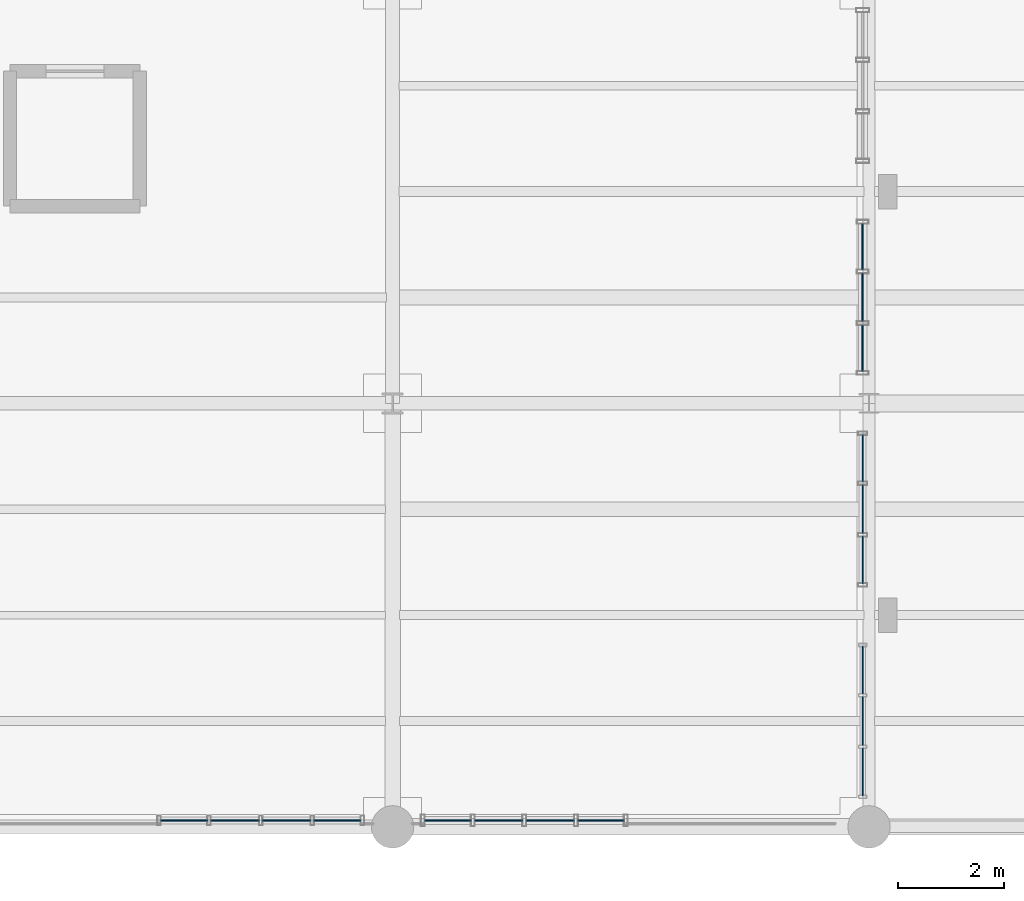
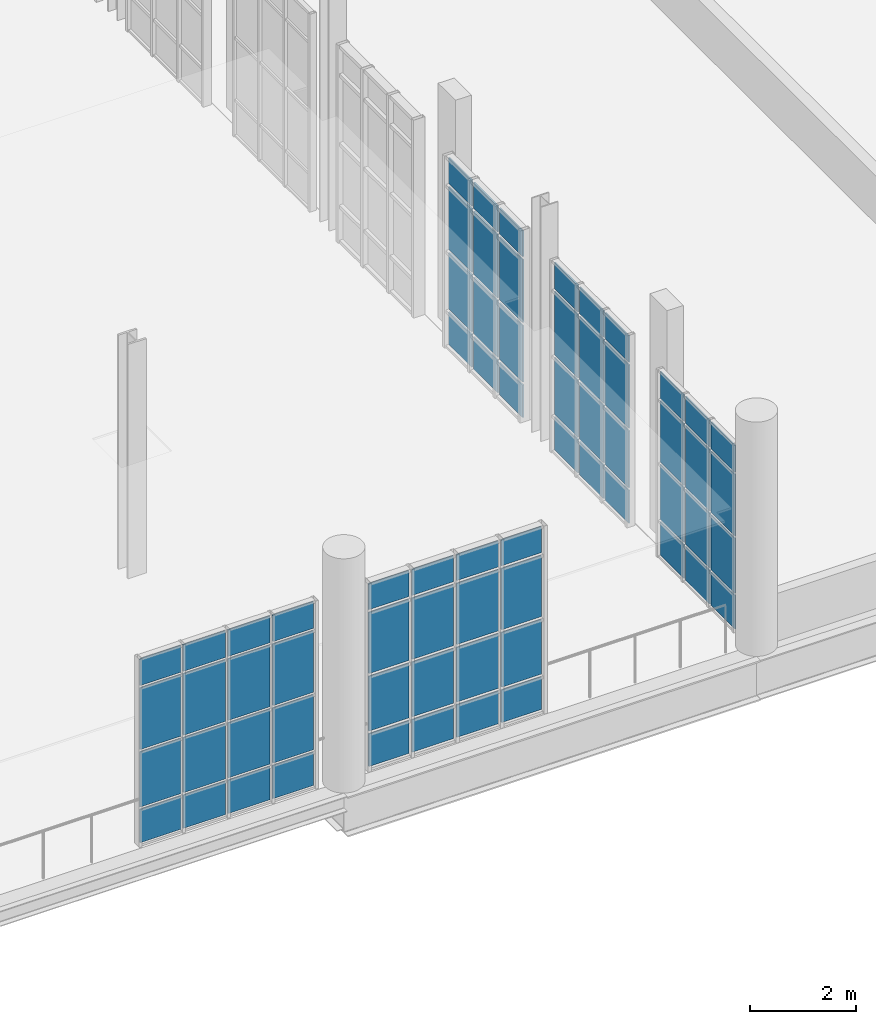
# One storey, part 115 of 142: 68 plates, 5 elements without a shape of their own.
"""IFC4 building model written with IfcOpenShell, lengths in metres."""

from ifc_helpers import new_model, si_unit, direction, frame, origin, origin_2d, place, context, subcontext, project, spatial, rectangle, extrude, material, layer, layer_set, type_object, element, aggregate, save


model = new_model("IFC4")

# Units and contexts
model_context = context("Model", 3, precision=1e-05, world=origin(), true_north=direction((0.0, 1.0)))
body_context = subcontext(model_context, "Body", "Model", "MODEL_VIEW")
ifc_project = project(units=[si_unit("LENGTHUNIT", "METRE"), si_unit("AREAUNIT", "SQUARE_METRE"), si_unit("VOLUMEUNIT", "CUBIC_METRE"), si_unit("PLANEANGLEUNIT", "RADIAN"), si_unit("MASSUNIT", "GRAM", prefix="KILO"), si_unit("THERMODYNAMICTEMPERATUREUNIT", "KELVIN"), si_unit("POWERUNIT", "WATT")], contexts=[model_context])

# Site, building, storey
site_placement = place(None, origin())
site = spatial("IfcSite", under=ifc_project, at=site_placement, CompositionType="ELEMENT")
building_placement = place(site_placement, origin())
building = spatial("IfcBuilding", under=site, at=building_placement, Name="Zelmaris Science Centre", CompositionType="ELEMENT")
storey_placement = place(building_placement, frame((0.0, 0.0, 5.39990234375)))
storey = spatial("IfcBuildingStorey", under=building, at=storey_placement, Name="L01", CompositionType="ELEMENT", Elevation=5.39990234375)

# Curtain wall, plates
ifc_material_1 = material(Name="Anodised architectural aluminium 6063-T6", Category="aluminium")
ifc_layer_1 = layer(ifc_material_1, 0.199951171875, Name="Anodised architectural aluminium 6063-T6")
ifc_layer_set_1 = layer_set([ifc_layer_1], Name="Anodised architectural aluminium 6063-T6")
curtain_wall_type_1 = type_object("IfcCurtainWallType", Name="Curtain Wall CW-02", PredefinedType="USERDEFINED", material=ifc_layer_set_1)
curtain_wall_1_placement = place(storey_placement, origin())
curtain_wall_1 = element("IfcCurtainWall", 1, at=curtain_wall_1_placement, inside=storey, type_object=curtain_wall_type_1, Name="L01 Unitised curtain wall 158", ObjectType="GLAZED CURTAIN WALL", PredefinedType="USERDEFINED")
ifc_material_2 = material(Name="Laminated hurricane-rated low-E insulated glazing", Category="glass")
ifc_layer_2 = layer(ifc_material_2, 0.028076171875, Name="Laminated hurricane-rated low-E insulated glazing")
ifc_layer_set_2 = layer_set([ifc_layer_2], Name="Laminated hurricane-rated low-E insulated glazing")
plate_type_1 = type_object("IfcPlateType", Name="Curtain Glazing Panel CWP-2 28mm", PredefinedType="CURTAIN_PANEL", material=ifc_layer_set_2)
plate_1_placement = place(storey_placement, frame((143.8798828125, 18.95654296875, 0.052001953125), z_axis=(0.0, 0.0, 1.0), x_axis=(0.0, -1.0, 0.0)))
plate_1 = element("IfcPlate", 2, at=plate_1_placement, type_object=plate_type_1, Name="CW-02 panel 1.1", PredefinedType="CURTAIN_PANEL", context=body_context, shape_type="SweptSolid", body=[
    extrude(rectangle(XDim=0.872802734375, YDim=0.028076171875, at=origin_2d()), origin(), (0.0, 0.0, 1.0), 0.74951171875),
])
plate_2_placement = place(storey_placement, frame((143.8798828125, 18.95654296875, 0.86865234375), z_axis=(0.0, 0.0, 1.0), x_axis=(0.0, -1.0, 0.0)))
plate_2 = element("IfcPlate", 3, at=plate_2_placement, type_object=plate_type_1, Name="CW-02 panel 1.2", PredefinedType="CURTAIN_PANEL", context=body_context, shape_type="SweptSolid", body=[
    extrude(rectangle(XDim=0.872802734375, YDim=0.028076171875, at=origin_2d()), origin(), (0.0, 0.0, 1.0), 1.303955078125),
])
plate_3_placement = place(storey_placement, frame((143.8798828125, 18.95654296875, 2.239501953125), z_axis=(0.0, 0.0, 1.0), x_axis=(0.0, -1.0, 0.0)))
plate_3 = element("IfcPlate", 4, at=plate_3_placement, type_object=plate_type_1, Name="CW-02 panel 1.3", PredefinedType="CURTAIN_PANEL", context=body_context, shape_type="SweptSolid", body=[
    extrude(rectangle(XDim=0.872802734375, YDim=0.028076171875, at=origin_2d()), origin(), (0.0, 0.0, 1.0), 1.4541015625),
])
plate_4_placement = place(storey_placement, frame((143.8798828125, 18.95654296875, 3.760498046875), z_axis=(0.0, 0.0, 1.0), x_axis=(0.0, -1.0, 0.0)))
plate_4 = element("IfcPlate", 5, at=plate_4_placement, type_object=plate_type_1, Name="CW-02 panel 1.4", PredefinedType="CURTAIN_PANEL", context=body_context, shape_type="SweptSolid", body=[
    extrude(rectangle(XDim=0.872802734375, YDim=0.028076171875, at=origin_2d()), origin(), (0.0, 0.0, 1.0), 0.599609375),
])
plate_5_placement = place(storey_placement, frame((143.8798828125, 18.0, 0.052001953125), z_axis=(0.0, 0.0, 1.0), x_axis=(0.0, -1.0, 0.0)))
plate_5 = element("IfcPlate", 6, at=plate_5_placement, type_object=plate_type_1, Name="CW-02 panel 2.1", PredefinedType="CURTAIN_PANEL", context=body_context, shape_type="SweptSolid", body=[
    extrude(rectangle(XDim=0.90625, YDim=0.028076171875, at=origin_2d()), origin(), (0.0, 0.0, 1.0), 0.74951171875),
])
plate_6_placement = place(storey_placement, frame((143.8798828125, 18.0, 0.86865234375), z_axis=(0.0, 0.0, 1.0), x_axis=(0.0, -1.0, 0.0)))
plate_6 = element("IfcPlate", 7, at=plate_6_placement, type_object=plate_type_1, Name="CW-02 panel 2.2", PredefinedType="CURTAIN_PANEL", context=body_context, shape_type="SweptSolid", body=[
    extrude(rectangle(XDim=0.90625, YDim=0.028076171875, at=origin_2d()), origin(), (0.0, 0.0, 1.0), 1.303955078125),
])
plate_7_placement = place(storey_placement, frame((143.8798828125, 18.0, 2.239501953125), z_axis=(0.0, 0.0, 1.0), x_axis=(0.0, -1.0, 0.0)))
plate_7 = element("IfcPlate", 8, at=plate_7_placement, type_object=plate_type_1, Name="CW-02 panel 2.3", PredefinedType="CURTAIN_PANEL", context=body_context, shape_type="SweptSolid", body=[
    extrude(rectangle(XDim=0.90625, YDim=0.028076171875, at=origin_2d()), origin(), (0.0, 0.0, 1.0), 1.4541015625),
])
plate_8_placement = place(storey_placement, frame((143.8798828125, 18.0, 3.760498046875), z_axis=(0.0, 0.0, 1.0), x_axis=(0.0, -1.0, 0.0)))
plate_8 = element("IfcPlate", 9, at=plate_8_placement, type_object=plate_type_1, Name="CW-02 panel 2.4", PredefinedType="CURTAIN_PANEL", context=body_context, shape_type="SweptSolid", body=[
    extrude(rectangle(XDim=0.90625, YDim=0.028076171875, at=origin_2d()), origin(), (0.0, 0.0, 1.0), 0.599609375),
])
plate_9_placement = place(storey_placement, frame((143.8798828125, 17.04345703125, 0.052001953125), z_axis=(0.0, 0.0, 1.0), x_axis=(0.0, -1.0, 0.0)))
plate_9 = element("IfcPlate", 10, at=plate_9_placement, type_object=plate_type_1, Name="CW-02 panel 3.1", PredefinedType="CURTAIN_PANEL", context=body_context, shape_type="SweptSolid", body=[
    extrude(rectangle(XDim=0.872802734375, YDim=0.028076171875, at=origin_2d()), origin(), (0.0, 0.0, 1.0), 0.74951171875),
])
plate_10_placement = place(storey_placement, frame((143.8798828125, 17.04345703125, 0.86865234375), z_axis=(0.0, 0.0, 1.0), x_axis=(0.0, -1.0, 0.0)))
plate_10 = element("IfcPlate", 11, at=plate_10_placement, type_object=plate_type_1, Name="CW-02 panel 3.2", PredefinedType="CURTAIN_PANEL", context=body_context, shape_type="SweptSolid", body=[
    extrude(rectangle(XDim=0.872802734375, YDim=0.028076171875, at=origin_2d()), origin(), (0.0, 0.0, 1.0), 1.303955078125),
])
plate_11_placement = place(storey_placement, frame((143.8798828125, 17.04345703125, 2.239501953125), z_axis=(0.0, 0.0, 1.0), x_axis=(0.0, -1.0, 0.0)))
plate_11 = element("IfcPlate", 12, at=plate_11_placement, type_object=plate_type_1, Name="CW-02 panel 3.3", PredefinedType="CURTAIN_PANEL", context=body_context, shape_type="SweptSolid", body=[
    extrude(rectangle(XDim=0.872802734375, YDim=0.028076171875, at=origin_2d()), origin(), (0.0, 0.0, 1.0), 1.4541015625),
])
plate_12_placement = place(storey_placement, frame((143.8798828125, 17.04345703125, 3.760498046875), z_axis=(0.0, 0.0, 1.0), x_axis=(0.0, -1.0, 0.0)))
plate_12 = element("IfcPlate", 13, at=plate_12_placement, type_object=plate_type_1, Name="CW-02 panel 3.4", PredefinedType="CURTAIN_PANEL", context=body_context, shape_type="SweptSolid", body=[
    extrude(rectangle(XDim=0.872802734375, YDim=0.028076171875, at=origin_2d()), origin(), (0.0, 0.0, 1.0), 0.599609375),
])
aggregate(curtain_wall_1, [plate_1, plate_2, plate_3, plate_4, plate_5, plate_6, plate_7, plate_8, plate_9, plate_10, plate_11, plate_12])

curtain_wall_2_placement = place(storey_placement, origin())
curtain_wall_2 = element("IfcCurtainWall", 14, at=curtain_wall_2_placement, inside=storey, type_object=curtain_wall_type_1, Name="L01 Unitised curtain wall 162", ObjectType="GLAZED CURTAIN WALL", PredefinedType="USERDEFINED")
plate_13_placement = place(storey_placement, frame((138.935791015625, 8.1201171875, 0.052001953125), z_axis=(0.0, 0.0, 1.0), x_axis=(-1.0, 0.0, 0.0)))
plate_13 = element("IfcPlate", 15, at=plate_13_placement, type_object=plate_type_1, Name="CW-02 panel 1.1", PredefinedType="CURTAIN_PANEL", context=body_context, shape_type="SweptSolid", body=[
    extrude(rectangle(XDim=0.87451171875, YDim=0.028076171875, at=origin_2d()), origin(), (0.0, 0.0, 1.0), 0.74951171875),
])
plate_14_placement = place(storey_placement, frame((138.935791015625, 8.1201171875, 0.86865234375), z_axis=(0.0, 0.0, 1.0), x_axis=(-1.0, 0.0, 0.0)))
plate_14 = element("IfcPlate", 16, at=plate_14_placement, type_object=plate_type_1, Name="CW-02 panel 1.2", PredefinedType="CURTAIN_PANEL", context=body_context, shape_type="SweptSolid", body=[
    extrude(rectangle(XDim=0.87451171875, YDim=0.028076171875, at=origin_2d()), origin(), (0.0, 0.0, 1.0), 1.258056640625),
])
plate_15_placement = place(storey_placement, frame((138.935791015625, 8.1201171875, 2.19384765625), z_axis=(0.0, 0.0, 1.0), x_axis=(-1.0, 0.0, 0.0)))
plate_15 = element("IfcPlate", 17, at=plate_15_placement, type_object=plate_type_1, Name="CW-02 panel 1.3", PredefinedType="CURTAIN_PANEL", context=body_context, shape_type="SweptSolid", body=[
    extrude(rectangle(XDim=0.87451171875, YDim=0.028076171875, at=origin_2d()), origin(), (0.0, 0.0, 1.0), 1.407958984375),
])
plate_16_placement = place(storey_placement, frame((138.935791015625, 8.1201171875, 3.66845703125), z_axis=(0.0, 0.0, 1.0), x_axis=(-1.0, 0.0, 0.0)))
plate_16 = element("IfcPlate", 18, at=plate_16_placement, type_object=plate_type_1, Name="CW-02 panel 1.4", PredefinedType="CURTAIN_PANEL", context=body_context, shape_type="SweptSolid", body=[
    extrude(rectangle(XDim=0.87451171875, YDim=0.028076171875, at=origin_2d()), origin(), (0.0, 0.0, 1.0), 0.599609375),
])
plate_17_placement = place(storey_placement, frame((137.9775390625, 8.1201171875, 0.052001953125), z_axis=(0.0, 0.0, 1.0), x_axis=(-1.0, 0.0, 0.0)))
plate_17 = element("IfcPlate", 19, at=plate_17_placement, type_object=plate_type_1, Name="CW-02 panel 2.1", PredefinedType="CURTAIN_PANEL", context=body_context, shape_type="SweptSolid", body=[
    extrude(rectangle(XDim=0.907958984375, YDim=0.028076171875, at=origin_2d()), origin(), (0.0, 0.0, 1.0), 0.74951171875),
])
plate_18_placement = place(storey_placement, frame((137.9775390625, 8.1201171875, 0.86865234375), z_axis=(0.0, 0.0, 1.0), x_axis=(-1.0, 0.0, 0.0)))
plate_18 = element("IfcPlate", 20, at=plate_18_placement, type_object=plate_type_1, Name="CW-02 panel 2.2", PredefinedType="CURTAIN_PANEL", context=body_context, shape_type="SweptSolid", body=[
    extrude(rectangle(XDim=0.907958984375, YDim=0.028076171875, at=origin_2d()), origin(), (0.0, 0.0, 1.0), 1.258056640625),
])
plate_19_placement = place(storey_placement, frame((137.9775390625, 8.1201171875, 2.19384765625), z_axis=(0.0, 0.0, 1.0), x_axis=(-1.0, 0.0, 0.0)))
plate_19 = element("IfcPlate", 21, at=plate_19_placement, type_object=plate_type_1, Name="CW-02 panel 2.3", PredefinedType="CURTAIN_PANEL", context=body_context, shape_type="SweptSolid", body=[
    extrude(rectangle(XDim=0.907958984375, YDim=0.028076171875, at=origin_2d()), origin(), (0.0, 0.0, 1.0), 1.407958984375),
])
plate_20_placement = place(storey_placement, frame((137.9775390625, 8.1201171875, 3.66845703125), z_axis=(0.0, 0.0, 1.0), x_axis=(-1.0, 0.0, 0.0)))
plate_20 = element("IfcPlate", 22, at=plate_20_placement, type_object=plate_type_1, Name="CW-02 panel 2.4", PredefinedType="CURTAIN_PANEL", context=body_context, shape_type="SweptSolid", body=[
    extrude(rectangle(XDim=0.907958984375, YDim=0.028076171875, at=origin_2d()), origin(), (0.0, 0.0, 1.0), 0.599609375),
])
plate_21_placement = place(storey_placement, frame((137.00244140625, 8.1201171875, 0.052001953125), z_axis=(0.0, 0.0, 1.0), x_axis=(-1.0, 0.0, 0.0)))
plate_21 = element("IfcPlate", 23, at=plate_21_placement, type_object=plate_type_1, Name="CW-02 panel 3.1", PredefinedType="CURTAIN_PANEL", context=body_context, shape_type="SweptSolid", body=[
    extrude(rectangle(XDim=0.907958984375, YDim=0.028076171875, at=origin_2d()), origin(), (0.0, 0.0, 1.0), 0.74951171875),
])
plate_22_placement = place(storey_placement, frame((137.00244140625, 8.1201171875, 0.86865234375), z_axis=(0.0, 0.0, 1.0), x_axis=(-1.0, 0.0, 0.0)))
plate_22 = element("IfcPlate", 24, at=plate_22_placement, type_object=plate_type_1, Name="CW-02 panel 3.2", PredefinedType="CURTAIN_PANEL", context=body_context, shape_type="SweptSolid", body=[
    extrude(rectangle(XDim=0.907958984375, YDim=0.028076171875, at=origin_2d()), origin(), (0.0, 0.0, 1.0), 1.258056640625),
])
plate_23_placement = place(storey_placement, frame((137.00244140625, 8.1201171875, 2.19384765625), z_axis=(0.0, 0.0, 1.0), x_axis=(-1.0, 0.0, 0.0)))
plate_23 = element("IfcPlate", 25, at=plate_23_placement, type_object=plate_type_1, Name="CW-02 panel 3.3", PredefinedType="CURTAIN_PANEL", context=body_context, shape_type="SweptSolid", body=[
    extrude(rectangle(XDim=0.907958984375, YDim=0.028076171875, at=origin_2d()), origin(), (0.0, 0.0, 1.0), 1.407958984375),
])
plate_24_placement = place(storey_placement, frame((137.00244140625, 8.1201171875, 3.66845703125), z_axis=(0.0, 0.0, 1.0), x_axis=(-1.0, 0.0, 0.0)))
plate_24 = element("IfcPlate", 26, at=plate_24_placement, type_object=plate_type_1, Name="CW-02 panel 3.4", PredefinedType="CURTAIN_PANEL", context=body_context, shape_type="SweptSolid", body=[
    extrude(rectangle(XDim=0.907958984375, YDim=0.028076171875, at=origin_2d()), origin(), (0.0, 0.0, 1.0), 0.599609375),
])
plate_25_placement = place(storey_placement, frame((136.044189453125, 8.1201171875, 0.052001953125), z_axis=(0.0, 0.0, 1.0), x_axis=(-1.0, 0.0, 0.0)))
plate_25 = element("IfcPlate", 27, at=plate_25_placement, type_object=plate_type_1, Name="CW-02 panel 4.1", PredefinedType="CURTAIN_PANEL", context=body_context, shape_type="SweptSolid", body=[
    extrude(rectangle(XDim=0.87451171875, YDim=0.028076171875, at=origin_2d()), origin(), (0.0, 0.0, 1.0), 0.74951171875),
])
plate_26_placement = place(storey_placement, frame((136.044189453125, 8.1201171875, 0.86865234375), z_axis=(0.0, 0.0, 1.0), x_axis=(-1.0, 0.0, 0.0)))
plate_26 = element("IfcPlate", 28, at=plate_26_placement, type_object=plate_type_1, Name="CW-02 panel 4.2", PredefinedType="CURTAIN_PANEL", context=body_context, shape_type="SweptSolid", body=[
    extrude(rectangle(XDim=0.87451171875, YDim=0.028076171875, at=origin_2d()), origin(), (0.0, 0.0, 1.0), 1.258056640625),
])
plate_27_placement = place(storey_placement, frame((136.044189453125, 8.1201171875, 2.19384765625), z_axis=(0.0, 0.0, 1.0), x_axis=(-1.0, 0.0, 0.0)))
plate_27 = element("IfcPlate", 29, at=plate_27_placement, type_object=plate_type_1, Name="CW-02 panel 4.3", PredefinedType="CURTAIN_PANEL", context=body_context, shape_type="SweptSolid", body=[
    extrude(rectangle(XDim=0.87451171875, YDim=0.028076171875, at=origin_2d()), origin(), (0.0, 0.0, 1.0), 1.407958984375),
])
plate_28_placement = place(storey_placement, frame((136.044189453125, 8.1201171875, 3.66845703125), z_axis=(0.0, 0.0, 1.0), x_axis=(-1.0, 0.0, 0.0)))
plate_28 = element("IfcPlate", 30, at=plate_28_placement, type_object=plate_type_1, Name="CW-02 panel 4.4", PredefinedType="CURTAIN_PANEL", context=body_context, shape_type="SweptSolid", body=[
    extrude(rectangle(XDim=0.87451171875, YDim=0.028076171875, at=origin_2d()), origin(), (0.0, 0.0, 1.0), 0.599609375),
])
aggregate(curtain_wall_2, [plate_13, plate_14, plate_15, plate_16, plate_17, plate_18, plate_19, plate_20, plate_21, plate_22, plate_23, plate_24, plate_25, plate_26, plate_27, plate_28])

ifc_layer_3 = layer(ifc_material_1, 0.2099609375, Name="Anodised architectural aluminium 6063-T6")
ifc_layer_set_3 = layer_set([ifc_layer_3], Name="Anodised architectural aluminium 6063-T6")
curtain_wall_type_2 = type_object("IfcCurtainWallType", Name="Curtain Wall CW-03", PredefinedType="USERDEFINED", material=ifc_layer_set_3)
curtain_wall_3_placement = place(storey_placement, origin())
curtain_wall_3 = element("IfcCurtainWall", 31, at=curtain_wall_3_placement, inside=storey, type_object=curtain_wall_type_2, Name="L01 Unitised curtain wall 159", ObjectType="GLAZED CURTAIN WALL", PredefinedType="USERDEFINED")
ifc_layer_4 = layer(ifc_material_2, 0.02587890625, Name="Laminated hurricane-rated low-E insulated glazing")
ifc_layer_set_4 = layer_set([ifc_layer_4], Name="Laminated hurricane-rated low-E insulated glazing")
plate_type_2 = type_object("IfcPlateType", Name="Curtain Glazing Panel CWP-3 26mm", PredefinedType="CURTAIN_PANEL", material=ifc_layer_set_4)
plate_29_placement = place(storey_placement, frame((143.8798828125, 14.958984375, 0.0419921875), z_axis=(0.0, 0.0, 1.0), x_axis=(0.0, -1.0, 0.0)))
plate_29 = element("IfcPlate", 32, at=plate_29_placement, type_object=plate_type_2, Name="CW-03 panel 1.1", PredefinedType="CURTAIN_PANEL", context=body_context, shape_type="SweptSolid", body=[
    extrude(rectangle(XDim=0.887939453125, YDim=0.02587890625, at=origin_2d()), origin(), (0.0, 0.0, 1.0), 0.764404296875),
])
plate_30_placement = place(storey_placement, frame((143.8798828125, 14.958984375, 0.863525390625), z_axis=(0.0, 0.0, 1.0), x_axis=(0.0, -1.0, 0.0)))
plate_30 = element("IfcPlate", 33, at=plate_30_placement, type_object=plate_type_2, Name="CW-03 panel 1.2", PredefinedType="CURTAIN_PANEL", context=body_context, shape_type="SweptSolid", body=[
    extrude(rectangle(XDim=0.887939453125, YDim=0.02587890625, at=origin_2d()), origin(), (0.0, 0.0, 1.0), 1.31396484375),
])
plate_31_placement = place(storey_placement, frame((143.8798828125, 14.958984375, 2.234375), z_axis=(0.0, 0.0, 1.0), x_axis=(0.0, -1.0, 0.0)))
plate_31 = element("IfcPlate", 34, at=plate_31_placement, type_object=plate_type_2, Name="CW-03 panel 1.3", PredefinedType="CURTAIN_PANEL", context=body_context, shape_type="SweptSolid", body=[
    extrude(rectangle(XDim=0.887939453125, YDim=0.02587890625, at=origin_2d()), origin(), (0.0, 0.0, 1.0), 1.464111328125),
])
plate_32_placement = place(storey_placement, frame((143.8798828125, 14.958984375, 3.75537109375), z_axis=(0.0, 0.0, 1.0), x_axis=(0.0, -1.0, 0.0)))
plate_32 = element("IfcPlate", 35, at=plate_32_placement, type_object=plate_type_2, Name="CW-03 panel 1.4", PredefinedType="CURTAIN_PANEL", context=body_context, shape_type="SweptSolid", body=[
    extrude(rectangle(XDim=0.887939453125, YDim=0.02587890625, at=origin_2d()), origin(), (0.0, 0.0, 1.0), 0.614501953125),
])
plate_33_placement = place(storey_placement, frame((143.8798828125, 14.0, 0.0419921875), z_axis=(0.0, 0.0, 1.0), x_axis=(0.0, -1.0, 0.0)))
plate_33 = element("IfcPlate", 36, at=plate_33_placement, type_object=plate_type_2, Name="CW-03 panel 2.1", PredefinedType="CURTAIN_PANEL", context=body_context, shape_type="SweptSolid", body=[
    extrude(rectangle(XDim=0.916259765625, YDim=0.02587890625, at=origin_2d()), origin(), (0.0, 0.0, 1.0), 0.764404296875),
])
plate_34_placement = place(storey_placement, frame((143.8798828125, 14.0, 0.863525390625), z_axis=(0.0, 0.0, 1.0), x_axis=(0.0, -1.0, 0.0)))
plate_34 = element("IfcPlate", 37, at=plate_34_placement, type_object=plate_type_2, Name="CW-03 panel 2.2", PredefinedType="CURTAIN_PANEL", context=body_context, shape_type="SweptSolid", body=[
    extrude(rectangle(XDim=0.916259765625, YDim=0.02587890625, at=origin_2d()), origin(), (0.0, 0.0, 1.0), 1.31396484375),
])
plate_35_placement = place(storey_placement, frame((143.8798828125, 14.0, 2.234375), z_axis=(0.0, 0.0, 1.0), x_axis=(0.0, -1.0, 0.0)))
plate_35 = element("IfcPlate", 38, at=plate_35_placement, type_object=plate_type_2, Name="CW-03 panel 2.3", PredefinedType="CURTAIN_PANEL", context=body_context, shape_type="SweptSolid", body=[
    extrude(rectangle(XDim=0.916259765625, YDim=0.02587890625, at=origin_2d()), origin(), (0.0, 0.0, 1.0), 1.464111328125),
])
plate_36_placement = place(storey_placement, frame((143.8798828125, 14.0, 3.75537109375), z_axis=(0.0, 0.0, 1.0), x_axis=(0.0, -1.0, 0.0)))
plate_36 = element("IfcPlate", 39, at=plate_36_placement, type_object=plate_type_2, Name="CW-03 panel 2.4", PredefinedType="CURTAIN_PANEL", context=body_context, shape_type="SweptSolid", body=[
    extrude(rectangle(XDim=0.916259765625, YDim=0.02587890625, at=origin_2d()), origin(), (0.0, 0.0, 1.0), 0.614501953125),
])
plate_37_placement = place(storey_placement, frame((143.8798828125, 13.041015625, 0.0419921875), z_axis=(0.0, 0.0, 1.0), x_axis=(0.0, -1.0, 0.0)))
plate_37 = element("IfcPlate", 40, at=plate_37_placement, type_object=plate_type_2, Name="CW-03 panel 3.1", PredefinedType="CURTAIN_PANEL", context=body_context, shape_type="SweptSolid", body=[
    extrude(rectangle(XDim=0.887939453125, YDim=0.02587890625, at=origin_2d()), origin(), (0.0, 0.0, 1.0), 0.764404296875),
])
plate_38_placement = place(storey_placement, frame((143.8798828125, 13.041015625, 0.863525390625), z_axis=(0.0, 0.0, 1.0), x_axis=(0.0, -1.0, 0.0)))
plate_38 = element("IfcPlate", 41, at=plate_38_placement, type_object=plate_type_2, Name="CW-03 panel 3.2", PredefinedType="CURTAIN_PANEL", context=body_context, shape_type="SweptSolid", body=[
    extrude(rectangle(XDim=0.887939453125, YDim=0.02587890625, at=origin_2d()), origin(), (0.0, 0.0, 1.0), 1.31396484375),
])
plate_39_placement = place(storey_placement, frame((143.8798828125, 13.041015625, 2.234375), z_axis=(0.0, 0.0, 1.0), x_axis=(0.0, -1.0, 0.0)))
plate_39 = element("IfcPlate", 42, at=plate_39_placement, type_object=plate_type_2, Name="CW-03 panel 3.3", PredefinedType="CURTAIN_PANEL", context=body_context, shape_type="SweptSolid", body=[
    extrude(rectangle(XDim=0.887939453125, YDim=0.02587890625, at=origin_2d()), origin(), (0.0, 0.0, 1.0), 1.464111328125),
])
plate_40_placement = place(storey_placement, frame((143.8798828125, 13.041015625, 3.75537109375), z_axis=(0.0, 0.0, 1.0), x_axis=(0.0, -1.0, 0.0)))
plate_40 = element("IfcPlate", 43, at=plate_40_placement, type_object=plate_type_2, Name="CW-03 panel 3.4", PredefinedType="CURTAIN_PANEL", context=body_context, shape_type="SweptSolid", body=[
    extrude(rectangle(XDim=0.887939453125, YDim=0.02587890625, at=origin_2d()), origin(), (0.0, 0.0, 1.0), 0.614501953125),
])
aggregate(curtain_wall_3, [plate_29, plate_30, plate_31, plate_32, plate_33, plate_34, plate_35, plate_36, plate_37, plate_38, plate_39, plate_40])

curtain_wall_4_placement = place(storey_placement, origin())
curtain_wall_4 = element("IfcCurtainWall", 44, at=curtain_wall_4_placement, inside=storey, type_object=curtain_wall_type_2, Name="L01 Unitised curtain wall 163", ObjectType="GLAZED CURTAIN WALL", PredefinedType="USERDEFINED")
plate_41_placement = place(storey_placement, frame((133.958251953125, 8.1201171875, 0.0419921875), z_axis=(0.0, 0.0, 1.0), x_axis=(-1.0, 0.0, 0.0)))
plate_41 = element("IfcPlate", 45, at=plate_41_placement, type_object=plate_type_2, Name="CW-03 panel 1.1", PredefinedType="CURTAIN_PANEL", context=body_context, shape_type="SweptSolid", body=[
    extrude(rectangle(XDim=0.889404296875, YDim=0.02587890625, at=origin_2d()), origin(), (0.0, 0.0, 1.0), 0.764404296875),
])
plate_42_placement = place(storey_placement, frame((133.958251953125, 8.1201171875, 0.863525390625), z_axis=(0.0, 0.0, 1.0), x_axis=(-1.0, 0.0, 0.0)))
plate_42 = element("IfcPlate", 46, at=plate_42_placement, type_object=plate_type_2, Name="CW-03 panel 1.2", PredefinedType="CURTAIN_PANEL", context=body_context, shape_type="SweptSolid", body=[
    extrude(rectangle(XDim=0.889404296875, YDim=0.02587890625, at=origin_2d()), origin(), (0.0, 0.0, 1.0), 1.26806640625),
])
plate_43_placement = place(storey_placement, frame((133.958251953125, 8.1201171875, 2.188720703125), z_axis=(0.0, 0.0, 1.0), x_axis=(-1.0, 0.0, 0.0)))
plate_43 = element("IfcPlate", 47, at=plate_43_placement, type_object=plate_type_2, Name="CW-03 panel 1.3", PredefinedType="CURTAIN_PANEL", context=body_context, shape_type="SweptSolid", body=[
    extrude(rectangle(XDim=0.889404296875, YDim=0.02587890625, at=origin_2d()), origin(), (0.0, 0.0, 1.0), 1.41796875),
])
plate_44_placement = place(storey_placement, frame((133.958251953125, 8.1201171875, 3.66357421875), z_axis=(0.0, 0.0, 1.0), x_axis=(-1.0, 0.0, 0.0)))
plate_44 = element("IfcPlate", 48, at=plate_44_placement, type_object=plate_type_2, Name="CW-03 panel 1.4", PredefinedType="CURTAIN_PANEL", context=body_context, shape_type="SweptSolid", body=[
    extrude(rectangle(XDim=0.889404296875, YDim=0.02587890625, at=origin_2d()), origin(), (0.0, 0.0, 1.0), 0.614501953125),
])
plate_45_placement = place(storey_placement, frame((132.99755859375, 8.1201171875, 0.0419921875), z_axis=(0.0, 0.0, 1.0), x_axis=(-1.0, 0.0, 0.0)))
plate_45 = element("IfcPlate", 49, at=plate_45_placement, type_object=plate_type_2, Name="CW-03 panel 2.1", PredefinedType="CURTAIN_PANEL", context=body_context, shape_type="SweptSolid", body=[
    extrude(rectangle(XDim=0.91796875, YDim=0.02587890625, at=origin_2d()), origin(), (0.0, 0.0, 1.0), 0.764404296875),
])
plate_46_placement = place(storey_placement, frame((132.99755859375, 8.1201171875, 0.863525390625), z_axis=(0.0, 0.0, 1.0), x_axis=(-1.0, 0.0, 0.0)))
plate_46 = element("IfcPlate", 50, at=plate_46_placement, type_object=plate_type_2, Name="CW-03 panel 2.2", PredefinedType="CURTAIN_PANEL", context=body_context, shape_type="SweptSolid", body=[
    extrude(rectangle(XDim=0.91796875, YDim=0.02587890625, at=origin_2d()), origin(), (0.0, 0.0, 1.0), 1.26806640625),
])
plate_47_placement = place(storey_placement, frame((132.99755859375, 8.1201171875, 2.188720703125), z_axis=(0.0, 0.0, 1.0), x_axis=(-1.0, 0.0, 0.0)))
plate_47 = element("IfcPlate", 51, at=plate_47_placement, type_object=plate_type_2, Name="CW-03 panel 2.3", PredefinedType="CURTAIN_PANEL", context=body_context, shape_type="SweptSolid", body=[
    extrude(rectangle(XDim=0.91796875, YDim=0.02587890625, at=origin_2d()), origin(), (0.0, 0.0, 1.0), 1.41796875),
])
plate_48_placement = place(storey_placement, frame((132.99755859375, 8.1201171875, 3.66357421875), z_axis=(0.0, 0.0, 1.0), x_axis=(-1.0, 0.0, 0.0)))
plate_48 = element("IfcPlate", 52, at=plate_48_placement, type_object=plate_type_2, Name="CW-03 panel 2.4", PredefinedType="CURTAIN_PANEL", context=body_context, shape_type="SweptSolid", body=[
    extrude(rectangle(XDim=0.91796875, YDim=0.02587890625, at=origin_2d()), origin(), (0.0, 0.0, 1.0), 0.614501953125),
])
plate_49_placement = place(storey_placement, frame((132.0224609375, 8.1201171875, 0.0419921875), z_axis=(0.0, 0.0, 1.0), x_axis=(-1.0, 0.0, 0.0)))
plate_49 = element("IfcPlate", 53, at=plate_49_placement, type_object=plate_type_2, Name="CW-03 panel 3.1", PredefinedType="CURTAIN_PANEL", context=body_context, shape_type="SweptSolid", body=[
    extrude(rectangle(XDim=0.91796875, YDim=0.02587890625, at=origin_2d()), origin(), (0.0, 0.0, 1.0), 0.764404296875),
])
plate_50_placement = place(storey_placement, frame((132.0224609375, 8.1201171875, 0.863525390625), z_axis=(0.0, 0.0, 1.0), x_axis=(-1.0, 0.0, 0.0)))
plate_50 = element("IfcPlate", 54, at=plate_50_placement, type_object=plate_type_2, Name="CW-03 panel 3.2", PredefinedType="CURTAIN_PANEL", context=body_context, shape_type="SweptSolid", body=[
    extrude(rectangle(XDim=0.91796875, YDim=0.02587890625, at=origin_2d()), origin(), (0.0, 0.0, 1.0), 1.26806640625),
])
plate_51_placement = place(storey_placement, frame((132.0224609375, 8.1201171875, 2.188720703125), z_axis=(0.0, 0.0, 1.0), x_axis=(-1.0, 0.0, 0.0)))
plate_51 = element("IfcPlate", 55, at=plate_51_placement, type_object=plate_type_2, Name="CW-03 panel 3.3", PredefinedType="CURTAIN_PANEL", context=body_context, shape_type="SweptSolid", body=[
    extrude(rectangle(XDim=0.91796875, YDim=0.02587890625, at=origin_2d()), origin(), (0.0, 0.0, 1.0), 1.41796875),
])
plate_52_placement = place(storey_placement, frame((132.0224609375, 8.1201171875, 3.66357421875), z_axis=(0.0, 0.0, 1.0), x_axis=(-1.0, 0.0, 0.0)))
plate_52 = element("IfcPlate", 56, at=plate_52_placement, type_object=plate_type_2, Name="CW-03 panel 3.4", PredefinedType="CURTAIN_PANEL", context=body_context, shape_type="SweptSolid", body=[
    extrude(rectangle(XDim=0.91796875, YDim=0.02587890625, at=origin_2d()), origin(), (0.0, 0.0, 1.0), 0.614501953125),
])
plate_53_placement = place(storey_placement, frame((131.061767578125, 8.1201171875, 0.0419921875), z_axis=(0.0, 0.0, 1.0), x_axis=(-1.0, 0.0, 0.0)))
plate_53 = element("IfcPlate", 57, at=plate_53_placement, type_object=plate_type_2, Name="CW-03 panel 4.1", PredefinedType="CURTAIN_PANEL", context=body_context, shape_type="SweptSolid", body=[
    extrude(rectangle(XDim=0.889404296875, YDim=0.02587890625, at=origin_2d()), origin(), (0.0, 0.0, 1.0), 0.764404296875),
])
plate_54_placement = place(storey_placement, frame((131.061767578125, 8.1201171875, 0.863525390625), z_axis=(0.0, 0.0, 1.0), x_axis=(-1.0, 0.0, 0.0)))
plate_54 = element("IfcPlate", 58, at=plate_54_placement, type_object=plate_type_2, Name="CW-03 panel 4.2", PredefinedType="CURTAIN_PANEL", context=body_context, shape_type="SweptSolid", body=[
    extrude(rectangle(XDim=0.889404296875, YDim=0.02587890625, at=origin_2d()), origin(), (0.0, 0.0, 1.0), 1.26806640625),
])
plate_55_placement = place(storey_placement, frame((131.061767578125, 8.1201171875, 2.188720703125), z_axis=(0.0, 0.0, 1.0), x_axis=(-1.0, 0.0, 0.0)))
plate_55 = element("IfcPlate", 59, at=plate_55_placement, type_object=plate_type_2, Name="CW-03 panel 4.3", PredefinedType="CURTAIN_PANEL", context=body_context, shape_type="SweptSolid", body=[
    extrude(rectangle(XDim=0.889404296875, YDim=0.02587890625, at=origin_2d()), origin(), (0.0, 0.0, 1.0), 1.41796875),
])
plate_56_placement = place(storey_placement, frame((131.061767578125, 8.1201171875, 3.66357421875), z_axis=(0.0, 0.0, 1.0), x_axis=(-1.0, 0.0, 0.0)))
plate_56 = element("IfcPlate", 60, at=plate_56_placement, type_object=plate_type_2, Name="CW-03 panel 4.4", PredefinedType="CURTAIN_PANEL", context=body_context, shape_type="SweptSolid", body=[
    extrude(rectangle(XDim=0.889404296875, YDim=0.02587890625, at=origin_2d()), origin(), (0.0, 0.0, 1.0), 0.614501953125),
])
aggregate(curtain_wall_4, [plate_41, plate_42, plate_43, plate_44, plate_45, plate_46, plate_47, plate_48, plate_49, plate_50, plate_51, plate_52, plate_53, plate_54, plate_55, plate_56])

ifc_layer_5 = layer(ifc_material_1, 0.219970703125, Name="Anodised architectural aluminium 6063-T6")
ifc_layer_set_5 = layer_set([ifc_layer_5], Name="Anodised architectural aluminium 6063-T6")
curtain_wall_type_3 = type_object("IfcCurtainWallType", Name="Curtain Wall CW-04", PredefinedType="USERDEFINED", material=ifc_layer_set_5)
curtain_wall_5_placement = place(storey_placement, origin())
curtain_wall_5 = element("IfcCurtainWall", 61, at=curtain_wall_5_placement, inside=storey, type_object=curtain_wall_type_3, Name="L01 Unitised curtain wall 160", ObjectType="GLAZED CURTAIN WALL", PredefinedType="USERDEFINED")
ifc_layer_6 = layer(ifc_material_2, 0.02392578125, Name="Laminated hurricane-rated low-E insulated glazing")
ifc_layer_set_6 = layer_set([ifc_layer_6], Name="Laminated hurricane-rated low-E insulated glazing")
plate_type_3 = type_object("IfcPlateType", Name="Curtain Glazing Panel CWP-4 24mm", PredefinedType="CURTAIN_PANEL", material=ifc_layer_set_6)
plate_57_placement = place(storey_placement, frame((143.8798828125, 10.96044921875, 0.037109375), z_axis=(0.0, 0.0, 1.0), x_axis=(0.0, -1.0, 0.0)))
plate_57 = element("IfcPlate", 62, at=plate_57_placement, type_object=plate_type_3, Name="CW-04 panel 1.1", PredefinedType="CURTAIN_PANEL", context=body_context, shape_type="SweptSolid", body=[
    extrude(rectangle(XDim=0.895263671875, YDim=0.02392578125, at=origin_2d()), origin(), (0.0, 0.0, 1.0), 0.77197265625),
])
plate_58_placement = place(storey_placement, frame((143.8798828125, 10.96044921875, 0.861083984375), z_axis=(0.0, 0.0, 1.0), x_axis=(0.0, -1.0, 0.0)))
plate_58 = element("IfcPlate", 63, at=plate_58_placement, type_object=plate_type_3, Name="CW-04 panel 1.2", PredefinedType="CURTAIN_PANEL", context=body_context, shape_type="SweptSolid", body=[
    extrude(rectangle(XDim=0.895263671875, YDim=0.02392578125, at=origin_2d()), origin(), (0.0, 0.0, 1.0), 1.26806640625),
])
plate_59_placement = place(storey_placement, frame((143.8798828125, 10.96044921875, 2.18115234375), z_axis=(0.0, 0.0, 1.0), x_axis=(0.0, -1.0, 0.0)))
plate_59 = element("IfcPlate", 64, at=plate_59_placement, type_object=plate_type_3, Name="CW-04 panel 1.3", PredefinedType="CURTAIN_PANEL", context=body_context, shape_type="SweptSolid", body=[
    extrude(rectangle(XDim=0.895263671875, YDim=0.02392578125, at=origin_2d()), origin(), (0.0, 0.0, 1.0), 1.41796875),
])
plate_60_placement = place(storey_placement, frame((143.8798828125, 10.96044921875, 3.651123046875), z_axis=(0.0, 0.0, 1.0), x_axis=(0.0, -1.0, 0.0)))
plate_60 = element("IfcPlate", 65, at=plate_60_placement, type_object=plate_type_3, Name="CW-04 panel 1.4", PredefinedType="CURTAIN_PANEL", context=body_context, shape_type="SweptSolid", body=[
    extrude(rectangle(XDim=0.895263671875, YDim=0.02392578125, at=origin_2d()), origin(), (0.0, 0.0, 1.0), 0.6220703125),
])
plate_61_placement = place(storey_placement, frame((143.8798828125, 10.0, 0.037109375), z_axis=(0.0, 0.0, 1.0), x_axis=(0.0, -1.0, 0.0)))
plate_61 = element("IfcPlate", 66, at=plate_61_placement, type_object=plate_type_3, Name="CW-04 panel 2.1", PredefinedType="CURTAIN_PANEL", context=body_context, shape_type="SweptSolid", body=[
    extrude(rectangle(XDim=0.92138671875, YDim=0.02392578125, at=origin_2d()), origin(), (0.0, 0.0, 1.0), 0.77197265625),
])
plate_62_placement = place(storey_placement, frame((143.8798828125, 10.0, 0.861083984375), z_axis=(0.0, 0.0, 1.0), x_axis=(0.0, -1.0, 0.0)))
plate_62 = element("IfcPlate", 67, at=plate_62_placement, type_object=plate_type_3, Name="CW-04 panel 2.2", PredefinedType="CURTAIN_PANEL", context=body_context, shape_type="SweptSolid", body=[
    extrude(rectangle(XDim=0.92138671875, YDim=0.02392578125, at=origin_2d()), origin(), (0.0, 0.0, 1.0), 1.26806640625),
])
plate_63_placement = place(storey_placement, frame((143.8798828125, 10.0, 2.18115234375), z_axis=(0.0, 0.0, 1.0), x_axis=(0.0, -1.0, 0.0)))
plate_63 = element("IfcPlate", 68, at=plate_63_placement, type_object=plate_type_3, Name="CW-04 panel 2.3", PredefinedType="CURTAIN_PANEL", context=body_context, shape_type="SweptSolid", body=[
    extrude(rectangle(XDim=0.92138671875, YDim=0.02392578125, at=origin_2d()), origin(), (0.0, 0.0, 1.0), 1.41796875),
])
plate_64_placement = place(storey_placement, frame((143.8798828125, 10.0, 3.651123046875), z_axis=(0.0, 0.0, 1.0), x_axis=(0.0, -1.0, 0.0)))
plate_64 = element("IfcPlate", 69, at=plate_64_placement, type_object=plate_type_3, Name="CW-04 panel 2.4", PredefinedType="CURTAIN_PANEL", context=body_context, shape_type="SweptSolid", body=[
    extrude(rectangle(XDim=0.92138671875, YDim=0.02392578125, at=origin_2d()), origin(), (0.0, 0.0, 1.0), 0.6220703125),
])
plate_65_placement = place(storey_placement, frame((143.8798828125, 9.039794921875, 0.037109375), z_axis=(0.0, 0.0, 1.0), x_axis=(0.0, -1.0, 0.0)))
plate_65 = element("IfcPlate", 70, at=plate_65_placement, type_object=plate_type_3, Name="CW-04 panel 3.1", PredefinedType="CURTAIN_PANEL", context=body_context, shape_type="SweptSolid", body=[
    extrude(rectangle(XDim=0.895263671875, YDim=0.02392578125, at=origin_2d()), origin(), (0.0, 0.0, 1.0), 0.77197265625),
])
plate_66_placement = place(storey_placement, frame((143.8798828125, 9.039794921875, 0.861083984375), z_axis=(0.0, 0.0, 1.0), x_axis=(0.0, -1.0, 0.0)))
plate_66 = element("IfcPlate", 71, at=plate_66_placement, type_object=plate_type_3, Name="CW-04 panel 3.2", PredefinedType="CURTAIN_PANEL", context=body_context, shape_type="SweptSolid", body=[
    extrude(rectangle(XDim=0.895263671875, YDim=0.02392578125, at=origin_2d()), origin(), (0.0, 0.0, 1.0), 1.26806640625),
])
plate_67_placement = place(storey_placement, frame((143.8798828125, 9.039794921875, 2.18115234375), z_axis=(0.0, 0.0, 1.0), x_axis=(0.0, -1.0, 0.0)))
plate_67 = element("IfcPlate", 72, at=plate_67_placement, type_object=plate_type_3, Name="CW-04 panel 3.3", PredefinedType="CURTAIN_PANEL", context=body_context, shape_type="SweptSolid", body=[
    extrude(rectangle(XDim=0.895263671875, YDim=0.02392578125, at=origin_2d()), origin(), (0.0, 0.0, 1.0), 1.41796875),
])
plate_68_placement = place(storey_placement, frame((143.8798828125, 9.039794921875, 3.651123046875), z_axis=(0.0, 0.0, 1.0), x_axis=(0.0, -1.0, 0.0)))
plate_68 = element("IfcPlate", 73, at=plate_68_placement, type_object=plate_type_3, Name="CW-04 panel 3.4", PredefinedType="CURTAIN_PANEL", context=body_context, shape_type="SweptSolid", body=[
    extrude(rectangle(XDim=0.895263671875, YDim=0.02392578125, at=origin_2d()), origin(), (0.0, 0.0, 1.0), 0.6220703125),
])
aggregate(curtain_wall_5, [plate_57, plate_58, plate_59, plate_60, plate_61, plate_62, plate_63, plate_64, plate_65, plate_66, plate_67, plate_68])

save(model, "model.ifc")
